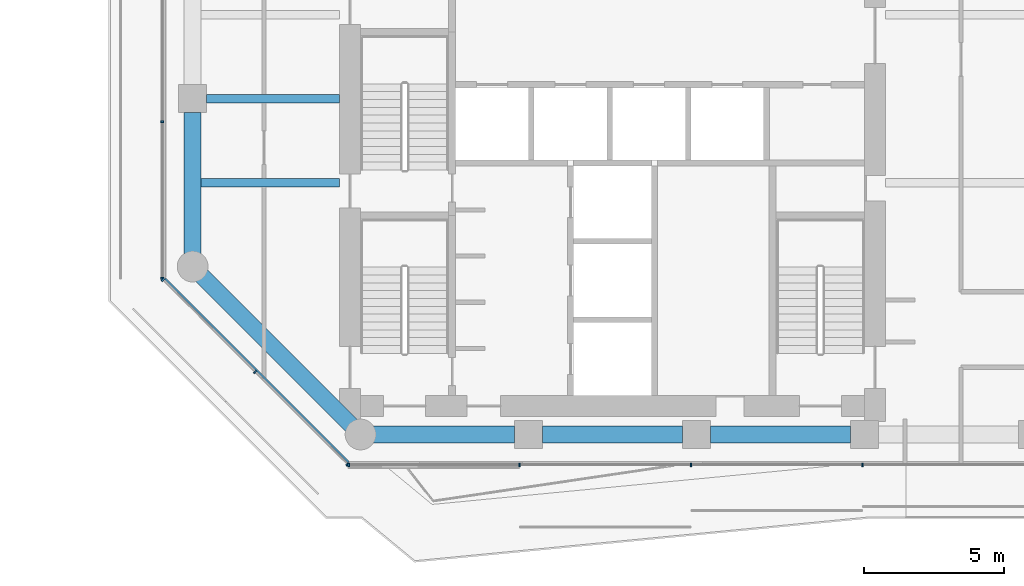
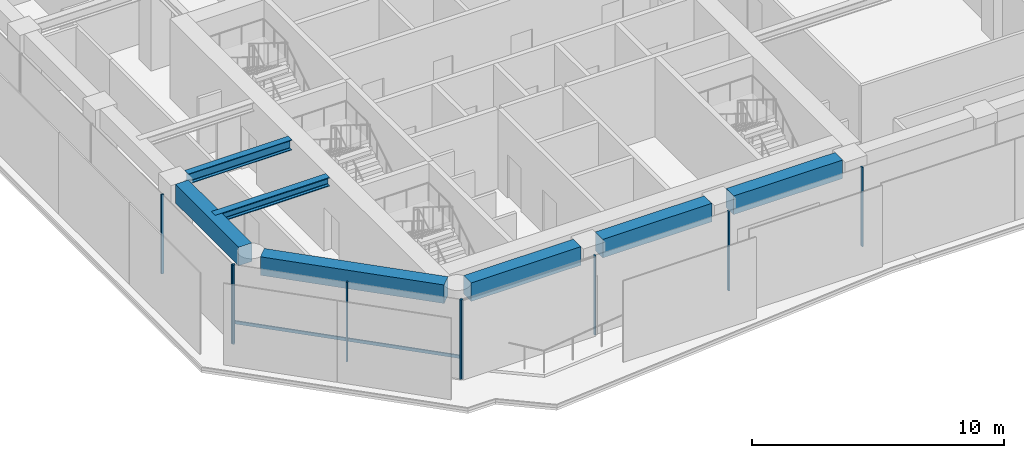
# One storey, part 2 of 28: 10 members, 7 beams, 3 elements without a shape of their own.
"""IFC4 building model written with IfcOpenShell, lengths in metres."""

from ifc_helpers import new_model, si_unit, direction, frame, origin, origin_2d, place, context, subcontext, project, spatial, rectangle, i_section, extrude, material, layer, layer_set, material_profile, profile_set, type_object, element, aggregate, save


model = new_model("IFC4")

# Units and contexts
model_context = context("Model", 3, precision=1e-05, world=origin(), true_north=direction((0.0, 1.0)))
body_context = subcontext(model_context, "Body", "Model", "MODEL_VIEW")
ifc_project = project(units=[si_unit("LENGTHUNIT", "METRE"), si_unit("AREAUNIT", "SQUARE_METRE"), si_unit("VOLUMEUNIT", "CUBIC_METRE"), si_unit("PLANEANGLEUNIT", "RADIAN"), si_unit("MASSUNIT", "GRAM", prefix="KILO")], contexts=[model_context])

# Site, building, storey
site_placement = place(None, origin())
site = spatial("IfcSite", under=ifc_project, at=site_placement, CompositionType="ELEMENT")
building_placement = place(site_placement, origin())
building = spatial("IfcBuilding", under=site, at=building_placement, Name="Welwitschia Terrace Campus", CompositionType="ELEMENT")
storey_placement = place(building_placement, frame((0.0, 0.0, 87.800048828125)))
storey = spatial("IfcBuildingStorey", under=building, at=storey_placement, Name="L19", CompositionType="ELEMENT", Elevation=87.800048828125)

# Beam
ifc_material_1 = material(Name="Steel S355", Category="steel")
ifc_material_profile_1 = material_profile(ifc_material_1, i_section(OverallWidth=0.306884765625, OverallDepth=0.431884765625, WebThickness=0.02099609375, FlangeThickness=0.0400390625, FilletRadius=0.027099609375, at=origin_2d()))
ifc_profile_set_1 = profile_set([ifc_material_profile_1], Name="Steel S355")
beam_type_1 = type_object("IfcBeamType", Name="Interior girder HE 400 M", PredefinedType="BEAM", material=ifc_profile_set_1)
beam_1_placement = place(storey_placement, frame((-0.010009765625, 13.0, 3.634033203125), z_axis=(1.0, 0.0, 0.0), x_axis=(0.0, 1.0, 0.0)))
element("IfcBeam", 1, at=beam_1_placement, inside=storey, type_object=beam_type_1, Name="Girder GB3", PredefinedType="BEAM", context=body_context, shape_type="SweptSolid", body=[
    extrude(i_section(OverallWidth=0.306884765625, OverallDepth=0.431884765625, WebThickness=0.02099609375, FlangeThickness=0.0400390625, FilletRadius=0.027099609375, at=origin_2d()), origin(), (0.0, 0.0, 1.0), 5.259033203125),
])

# Curtain wall, members
ifc_material_2 = material(Name="Bronze anodised aluminium", Category="aluminium")
ifc_layer = layer(ifc_material_2, 0.1201171875)
ifc_layer_set = layer_set([ifc_layer], Name="Bronze anodised aluminium")
curtain_wall_type = type_object("IfcCurtainWallType", Name="Curtain wall CW2 tower 6000", PredefinedType="NOTDEFINED", material=ifc_layer_set)
curtain_wall_1_placement = place(storey_placement, origin())
curtain_wall_1 = element("IfcCurtainWall", 2, at=curtain_wall_1_placement, inside=storey, type_object=curtain_wall_type, Name="CW L19.1.0", PredefinedType="NOTDEFINED")
ifc_material_3 = material(Name="Bronze anodised aluminium", Category="aluminium")
ifc_material_profile_2 = material_profile(ifc_material_3, rectangle(XDim=0.1201171875, YDim=0.06005859375, at=origin_2d()))
ifc_profile_set_2 = profile_set([ifc_material_profile_2], Name="Bronze anodised aluminium")
member_type_1 = type_object("IfcMemberType", Name="Mullion 60x120", PredefinedType="MULLION", material=ifc_profile_set_2)
member_1_placement = place(storey_placement, frame((-1.0859375, 15.17236328125, 0.0), z_axis=(0.0, 0.0, 1.0), x_axis=(1.0, 0.0, 0.0)))
member_1 = element("IfcMember", 3, at=member_1_placement, type_object=member_type_1, Name="Mullion L19.1.0.3", PredefinedType="MULLION", context=body_context, shape_type="SweptSolid", body=[
    extrude(rectangle(XDim=0.1201171875, YDim=0.06005859375, at=origin_2d()), origin(), (0.0, 0.0, 1.0), 3.849853515625),
])
member_2_placement = place(storey_placement, frame((-1.0859375, 9.580078125, 0.0), z_axis=(0.0, 0.0, 1.0), x_axis=(1.0, 0.0, 0.0)))
member_2 = element("IfcMember", 4, at=member_2_placement, type_object=member_type_1, Name="Mullion L19.1.0.4", PredefinedType="MULLION", context=body_context, shape_type="SweptSolid", body=[
    extrude(rectangle(XDim=0.1201171875, YDim=0.06005859375, at=origin_2d()), origin(), (0.0, 0.0, 1.0), 3.849853515625),
])
aggregate(curtain_wall_1, [member_1, member_2])

curtain_wall_2_placement = place(storey_placement, origin())
curtain_wall_2 = element("IfcCurtainWall", 5, at=curtain_wall_2_placement, inside=storey, type_object=curtain_wall_type, Name="CW L19.2.0", PredefinedType="NOTDEFINED")
member_3_placement = place(storey_placement, frame((-1.064697265625, 9.529052734375, 0.0), z_axis=(0.0, 0.0, 1.0), x_axis=(0.707106781187, 0.707106781187, 0.0)))
member_3 = element("IfcMember", 6, at=member_3_placement, type_object=member_type_1, Name="Mullion L19.2.0.0", PredefinedType="MULLION", context=body_context, shape_type="SweptSolid", body=[
    extrude(rectangle(XDim=0.1201171875, YDim=0.06005859375, at=origin_2d()), origin(), (0.0, 0.0, 1.0), 3.849853515625),
])
member_4_placement = place(storey_placement, frame((2.232177734375, 6.232177734375, 0.0), z_axis=(0.0, 0.0, 1.0), x_axis=(0.707106781187, 0.707106781187, 0.0)))
member_4 = element("IfcMember", 7, at=member_4_placement, type_object=member_type_1, Name="Mullion L19.2.0.1", PredefinedType="MULLION", context=body_context, shape_type="SweptSolid", body=[
    extrude(rectangle(XDim=0.1201171875, YDim=0.06005859375, at=origin_2d()), origin(), (0.0, 0.0, 1.0), 3.849853515625),
])
member_5_placement = place(storey_placement, frame((5.529052734375, 2.935302734375, 0.0), z_axis=(0.0, 0.0, 1.0), x_axis=(0.707106781187, 0.707106781187, 0.0)))
member_5 = element("IfcMember", 8, at=member_5_placement, type_object=member_type_1, Name="Mullion L19.2.0.2", PredefinedType="MULLION", context=body_context, shape_type="SweptSolid", body=[
    extrude(rectangle(XDim=0.1201171875, YDim=0.06005859375, at=origin_2d()), origin(), (0.0, 0.0, 1.0), 3.849853515625),
])

curtain_wall_3_placement = place(storey_placement, origin())
curtain_wall_3 = element("IfcCurtainWall", 9, at=curtain_wall_3_placement, inside=storey, type_object=curtain_wall_type, Name="CW L19.3.0", PredefinedType="NOTDEFINED")
member_6_placement = place(storey_placement, frame((5.580078125, 2.9140625, 0.0), z_axis=(0.0, 0.0, 1.0), x_axis=(0.0, 1.0, 0.0)))
member_6 = element("IfcMember", 10, at=member_6_placement, type_object=member_type_1, Name="Mullion L19.3.0.0", PredefinedType="MULLION", context=body_context, shape_type="SweptSolid", body=[
    extrude(rectangle(XDim=0.1201171875, YDim=0.06005859375, at=origin_2d()), origin(), (0.0, 0.0, 1.0), 3.849853515625),
])
member_7_placement = place(storey_placement, frame((11.6787109375, 2.9140625, 0.0), z_axis=(0.0, 0.0, 1.0), x_axis=(0.0, 1.0, 0.0)))
member_7 = element("IfcMember", 11, at=member_7_placement, type_object=member_type_1, Name="Mullion L19.3.0.1", PredefinedType="MULLION", context=body_context, shape_type="SweptSolid", body=[
    extrude(rectangle(XDim=0.1201171875, YDim=0.06005859375, at=origin_2d()), origin(), (0.0, 0.0, 1.0), 3.849853515625),
])
member_8_placement = place(storey_placement, frame((17.80712890625, 2.9140625, 0.0), z_axis=(0.0, 0.0, 1.0), x_axis=(0.0, 1.0, 0.0)))
member_8 = element("IfcMember", 12, at=member_8_placement, type_object=member_type_1, Name="Mullion L19.3.0.2", PredefinedType="MULLION", context=body_context, shape_type="SweptSolid", body=[
    extrude(rectangle(XDim=0.1201171875, YDim=0.06005859375, at=origin_2d()), origin(), (0.0, 0.0, 1.0), 3.849853515625),
])
member_9_placement = place(storey_placement, frame((23.935791015625, 2.9140625, 0.0), z_axis=(0.0, 0.0, 1.0), x_axis=(0.0, 1.0, 0.0)))
member_9 = element("IfcMember", 13, at=member_9_placement, type_object=member_type_1, Name="Mullion L19.3.0.3", PredefinedType="MULLION", context=body_context, shape_type="SweptSolid", body=[
    extrude(rectangle(XDim=0.1201171875, YDim=0.06005859375, at=origin_2d()), origin(), (0.0, 0.0, 1.0), 3.849853515625),
])
aggregate(curtain_wall_3, [member_6, member_7, member_8, member_9])

# Beams
ifc_material_4 = material(Name="Steel S355", Category="steel")
ifc_material_profile_3 = material_profile(ifc_material_4, i_section(OverallWidth=0.300048828125, OverallDepth=0.5, WebThickness=0.014404296875, FlangeThickness=0.028076171875, FilletRadius=0.027099609375, at=origin_2d()))
ifc_profile_set_3 = profile_set([ifc_material_profile_3], Name="Steel S355")
beam_type_2 = type_object("IfcBeamType", Name="Primary beam HE 500 B", PredefinedType="BEAM", material=ifc_profile_set_3)
beam_2_placement = place(storey_placement, frame((0.50048828125, 16.0, 3.599853515625), z_axis=(1.0, 0.0, 0.0), x_axis=(0.0, 1.0, 0.0)))
element("IfcBeam", 14, at=beam_2_placement, inside=storey, type_object=beam_type_2, Name="Primary beam PB3", PredefinedType="BEAM", context=body_context, shape_type="SweptSolid", body=[
    extrude(i_section(OverallWidth=0.300048828125, OverallDepth=0.5, WebThickness=0.014404296875, FlangeThickness=0.028076171875, FilletRadius=0.027099609375, at=origin_2d()), origin(), (0.0, 0.0, 1.0), 4.74951171875),
])
ifc_material_5 = material(Name="Concrete C60/75", Category="concrete")
ifc_material_profile_4 = material_profile(ifc_material_5, rectangle(XDim=0.60009765625, YDim=0.89990234375, at=origin_2d()))
ifc_profile_set_4 = profile_set([ifc_material_profile_4], Name="Concrete C60/75")
beam_type_3 = type_object("IfcBeamType", Name="Ring spandrel 600x900", PredefinedType="SPANDREL", material=ifc_profile_set_4)
beam_3_placement = place(storey_placement, frame((0.326416015625, 9.673583984375, 3.39990234375), z_axis=(0.707106781187, -0.707106781187, 0.0), x_axis=(0.707106781187, 0.707106781187, 0.0)))
element("IfcBeam", 15, at=beam_3_placement, inside=storey, type_object=beam_type_3, Name="Spandrel SP2", PredefinedType="SPANDREL", context=body_context, shape_type="SweptSolid", body=[
    extrude(rectangle(XDim=0.60009765625, YDim=0.89990234375, at=origin_2d()), origin(), (0.0, 0.0, 1.0), 7.56201171875),
])
beam_4_placement = place(storey_placement, frame((6.46142578125, 4.0, 3.39990234375), z_axis=(1.0, 0.0, 0.0), x_axis=(0.0, 1.0, 0.0)))
element("IfcBeam", 16, at=beam_4_placement, inside=storey, type_object=beam_type_3, Name="Spandrel SP2", PredefinedType="SPANDREL", context=body_context, shape_type="SweptSolid", body=[
    extrude(rectangle(XDim=0.60009765625, YDim=0.89990234375, at=origin_2d()), origin(), (0.0, 0.0, 1.0), 5.0380859375),
])
for number, where, z_axis, x_axis, name in (
    (17, (12.50048828125, 4.0, 3.39990234375), (1.0, 0.0, 0.0), (0.0, 1.0, 0.0), "Spandrel SP2"),
    (18, (18.50048828125, 4.0, 3.39990234375), (1.0, 0.0, 0.0), (0.0, 1.0, 0.0), "Spandrel SP2"),
):
    element("IfcBeam", number, at=place(storey_placement, frame(where, z_axis=z_axis, x_axis=x_axis)), inside=storey, type_object=beam_type_3, Name=name, PredefinedType="SPANDREL", context=body_context, shape_type="SweptSolid", body=[
        extrude(rectangle(XDim=0.60009765625, YDim=0.89990234375, at=origin_2d()), origin(), (0.0, 0.0, 1.0), 4.9990234375),
    ])
beam_5_placement = place(storey_placement, frame((0.0, 15.49951171875, 3.39990234375), z_axis=(0.0, -1.0, 0.0), x_axis=(1.0, 0.0, 0.0)))
element("IfcBeam", 19, at=beam_5_placement, inside=storey, type_object=beam_type_3, Name="Spandrel SP2", PredefinedType="SPANDREL", context=body_context, shape_type="SweptSolid", body=[
    extrude(rectangle(XDim=0.60009765625, YDim=0.89990234375, at=origin_2d()), origin(), (0.0, 0.0, 1.0), 5.0380859375),
])

# Member
ifc_material_6 = material(Name="Bronze anodised aluminium", Category="aluminium")
ifc_material_profile_5 = material_profile(ifc_material_6, rectangle(XDim=0.06005859375, YDim=0.14990234375, at=origin_2d()))
ifc_profile_set_5 = profile_set([ifc_material_profile_5], Name="Bronze anodised aluminium")
member_type_2 = type_object("IfcMemberType", Name="Transom 60x150", PredefinedType="USERDEFINED", material=ifc_profile_set_5)
member_10_placement = place(storey_placement, frame((-0.97998046875, 9.5712890625, 1.0), z_axis=(0.707106781187, -0.707106781187, 0.0), x_axis=(0.707106781187, 0.707106781187, 0.0)))
member_10 = element("IfcMember", 20, at=member_10_placement, type_object=member_type_2, Name="Transom L19.2.0", ObjectType="TRANSOM", PredefinedType="USERDEFINED", context=body_context, shape_type="SweptSolid", body=[
    extrude(rectangle(XDim=0.06005859375, YDim=0.14990234375, at=origin_2d()), origin(), (0.0, 0.0, 1.0), 9.264892578125),
])

aggregate(curtain_wall_2, [member_3, member_4, member_5, member_10])

save(model, "model.ifc")
